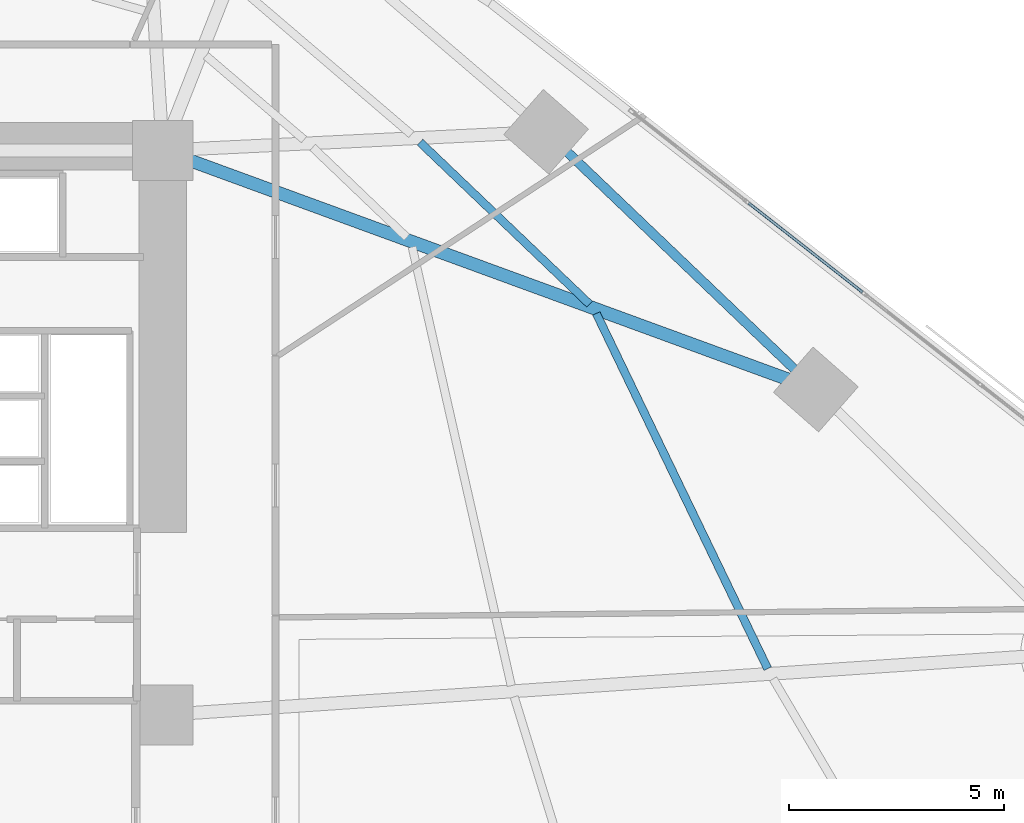
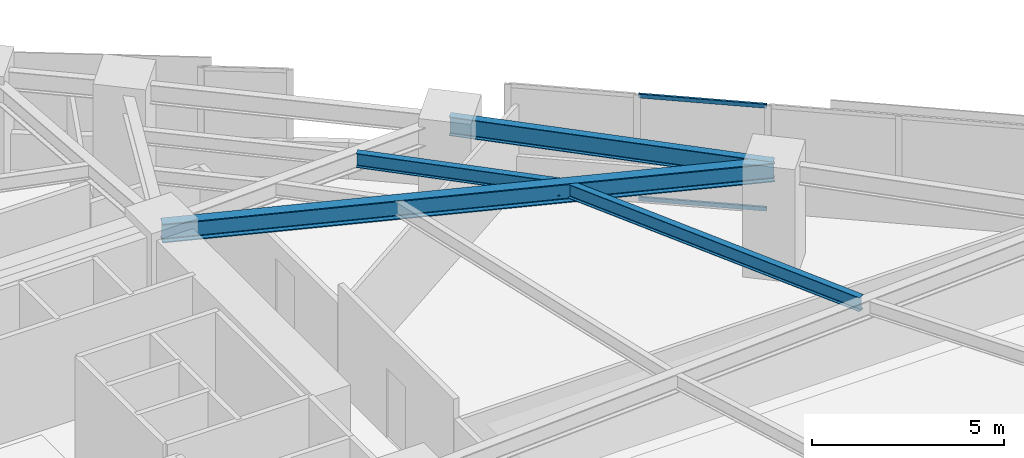
# One storey, part 6 of 17: 4 beams, 2 members, 1 element without a shape of its own.
"""IFC4 building model written with IfcOpenShell, lengths in metres."""

import ifcopenshell
import ifcopenshell.guid

model = None  # the IFC model being written
_history = None  # IfcOwnerHistory: only IFC2X3 demands one
_inside = {}  # id of a spatial element -> (the spatial element, [elements in it])
_under = {}  # id of a project, library or spatial element -> (it, [spatial elements below it])
_declared = {}  # id of a project -> (the project, [libraries it declares])
_typed = {}  # id of a type object -> (the type object, [elements of that type])
_made_of = {}  # id of a material, layer set ... -> (it, [elements and type objects made of it])


def new_model(schema):
    """Start an empty IFC model of exactly this schema.

    Asked for "IFC4X3", IfcOpenShell would pick the latest addendum, in which some entities
    have other attributes; the version numbers below select the first issue.
    IFC2X3 requires an IfcOwnerHistory on every rooted entity: one is made here for all.
    """
    global model, _history
    if schema == "IFC4X3":
        model = ifcopenshell.file(schema_version=(4, 3, 0, 0))
    else:
        model = ifcopenshell.file(schema=schema)
    _inside.clear()
    _under.clear()
    _declared.clear()
    _typed.clear()
    _made_of.clear()
    _history = None
    if model.schema == "IFC2X3":
        org = make("IfcOrganization", Name="unknown")
        user = make(
            "IfcPersonAndOrganization",
            ThePerson=make("IfcPerson", FamilyName="unknown"),
            TheOrganization=org,
        )
        app = make(
            "IfcApplication",
            ApplicationDeveloper=org,
            Version="unknown",
            ApplicationFullName="unknown",
            ApplicationIdentifier="unknown",
        )
        _history = make(
            "IfcOwnerHistory",
            OwningUser=user,
            OwningApplication=app,
            ChangeAction="ADDED",
            CreationDate=0,
        )
    return model


def make(cls, **values):
    """One entity of the class cls with the attributes given. An attribute that is None is left unset."""
    return model.create_entity(
        cls, **{name: value for name, value in values.items() if value is not None}
    )


def rooted(cls, **values):
    """An entity with a GlobalId (a new one), such as an element, a storey or a relation."""
    return make(cls, GlobalId=ifcopenshell.guid.new(), OwnerHistory=_history, **values)


def si_unit(unit_type, name, prefix=None):
    """IfcSIUnit, for example si_unit("LENGTHUNIT", "METRE", prefix="MILLI")."""
    return make("IfcSIUnit", UnitType=unit_type, Prefix=prefix, Name=name)


def assignment(units):
    """IfcUnitAssignment: the units of a project."""
    return None if units is None else make("IfcUnitAssignment", Units=units)


def point(xyz):
    """IfcCartesianPoint."""
    return None if xyz is None else make("IfcCartesianPoint", Coordinates=xyz)


def direction(xyz):
    """IfcDirection."""
    return None if xyz is None else make("IfcDirection", DirectionRatios=xyz)


def frame(location, z_axis=None, x_axis=None):
    """IfcAxis2Placement3D, a coordinate frame: its origin and axes. An axis left out is left unset."""
    return make(
        "IfcAxis2Placement3D",
        Location=point(location),
        Axis=direction(z_axis),
        RefDirection=direction(x_axis),
    )


def frame_2d(location, x_axis=None):
    """IfcAxis2Placement2D, a coordinate frame in the plane: its origin and x axis."""
    return make(
        "IfcAxis2Placement2D", Location=point(location), RefDirection=direction(x_axis)
    )


def origin():
    """The frame at (0, 0, 0) with its axes left unset."""
    return frame((0.0, 0.0, 0.0))


def origin_2d():
    """The frame at (0, 0) in the plane with its x axis left unset."""
    return frame_2d((0.0, 0.0))


def place(relative_to, where):
    """IfcLocalPlacement: puts the frame where relative to a parent placement (None: the world)."""
    return make(
        "IfcLocalPlacement", PlacementRelTo=relative_to, RelativePlacement=where
    )


def context(
    kind, dimensions, precision=None, world=None, true_north=None, identifier=None
):
    """IfcGeometricRepresentationContext, for example the 3D "Model" context."""
    return make(
        "IfcGeometricRepresentationContext",
        ContextIdentifier=identifier,
        ContextType=kind,
        CoordinateSpaceDimension=dimensions,
        Precision=precision,
        WorldCoordinateSystem=world,
        TrueNorth=true_north,
    )


def subcontext(parent, identifier, kind, view, scale=None):
    """IfcGeometricRepresentationSubContext, for example "Body" below "Model"."""
    return make(
        "IfcGeometricRepresentationSubContext",
        ContextIdentifier=identifier,
        ContextType=kind,
        ParentContext=parent,
        TargetScale=scale,
        TargetView=view,
    )


def project(units=None, contexts=None):
    """IfcProject with its units and contexts."""
    return rooted(
        "IfcProject",
        Name="project",
        RepresentationContexts=contexts,
        UnitsInContext=assignment(units),
    )


def spatial(cls, under=None, at=None, **own):
    """A site, building, storey or space (cls), placed at a placement, below another one or the project."""
    s = rooted(cls, ObjectPlacement=at, **own)
    if under is not None:
        _under.setdefault(under.id(), (under, []))[1].append(s)
    return s


def profile(cls, at=None, kind="AREA", **sizes):
    """A parametric profile (cls). Its sizes go by their IFC names, for example OverallWidth=200.0."""
    return make(cls, ProfileType=kind, Position=at, **sizes)


def hollow_rectangle(**sizes):
    """IfcRectangleHollowProfileDef."""
    return profile("IfcRectangleHollowProfileDef", **sizes)


def i_section(**sizes):
    """IfcIShapeProfileDef."""
    return profile("IfcIShapeProfileDef", **sizes)


def extrude(swept, where, along, depth):
    """IfcExtrudedAreaSolid: the profile swept, set in the frame where, extruded along a direction by depth."""
    return make(
        "IfcExtrudedAreaSolid",
        SweptArea=swept,
        Position=where,
        ExtrudedDirection=direction(along),
        Depth=depth,
    )


def shape(context_of_items, identifier, shape_type, items):
    """IfcShapeRepresentation: the items that make up one representation, for example the "Body"."""
    return make(
        "IfcShapeRepresentation",
        ContextOfItems=context_of_items,
        RepresentationIdentifier=identifier,
        RepresentationType=shape_type,
        Items=items,
    )


def material(Name=None, Category=None):
    """IfcMaterial."""
    return make("IfcMaterial", Name=Name, Category=Category)


def material_profile(
    of_material, cross_section, Name=None, Category=None, Priority=None
):
    """IfcMaterialProfile: a cross section and its material."""
    return make(
        "IfcMaterialProfile",
        Name=Name,
        Material=of_material,
        Profile=cross_section,
        Priority=Priority,
        Category=Category,
    )


def profile_set(profiles, Name=None, composite=None):
    """IfcMaterialProfileSet."""
    return make(
        "IfcMaterialProfileSet",
        Name=Name,
        MaterialProfiles=profiles,
        CompositeProfile=composite,
    )


def made_of(thing, what):
    """Note that an element or type object is made of a material, layer set ...; save() writes the relation."""
    if what is not None:
        _made_of.setdefault(what.id(), (what, []))[1].append(thing)
    return thing


def type_object(cls, material=None, **own):
    """A type object (cls), such as IfcWallType, which elements share."""
    return made_of(rooted(cls, **own), material)


def element(
    cls,
    number,
    at=None,
    inside=None,
    cuts=None,
    type_object=None,
    material=None,
    context=None,
    identifier="Body",
    shape_type=None,
    held_by="IfcProductDefinitionShape",
    body=None,
    shapes=None,
    **own,
):
    """One element of the class cls, such as IfcWall. Its Tag is "e" and its number.

    at: its placement. inside: the storey or other place that contains it. cuts: it is an
    opening in that element (IfcRelVoidsElement). A single representation is given by context,
    identifier, shape_type and body (its items); several are given by shapes. held_by: the class
    of the entity that holds the representations. save() writes the other relations.
    """
    e = rooted(cls, Tag="e%d" % number, ObjectPlacement=at, **own)
    if body is not None:
        shapes = [shape(context, identifier, shape_type, body)]
    if shapes is not None:
        e.Representation = make(held_by, Representations=shapes)
    if inside is not None:
        _inside.setdefault(inside.id(), (inside, []))[1].append(e)
    if cuts is not None:
        rooted(
            "IfcRelVoidsElement", RelatingBuildingElement=cuts, RelatedOpeningElement=e
        )
    if type_object is not None:
        _typed.setdefault(type_object.id(), (type_object, []))[1].append(e)
    return made_of(e, material)


def aggregate(whole, parts):
    """IfcRelAggregates: a whole, such as a stair, and the parts it consists of."""
    return rooted("IfcRelAggregates", RelatingObject=whole, RelatedObjects=parts)


def save(model, path):
    """Write the relations noted so far, then the file.

    IfcRelAggregates (storeys below a building ...), IfcRelContainedInSpatialStructure (elements
    in a storey), IfcRelDefinesByType, IfcRelAssociatesMaterial and IfcRelDeclares: one each for
    every whole, place, type object, material and project.
    """
    for whole, parts in _under.values():
        aggregate(whole, parts)
    for where, things in _inside.values():
        rooted(
            "IfcRelContainedInSpatialStructure",
            RelatedElements=things,
            RelatingStructure=where,
        )
    for kind, things in _typed.values():
        rooted("IfcRelDefinesByType", RelatedObjects=things, RelatingType=kind)
    for what, things in _made_of.values():
        rooted("IfcRelAssociatesMaterial", RelatedObjects=things, RelatingMaterial=what)
    for by, libraries in _declared.values():
        rooted("IfcRelDeclares", RelatingContext=by, RelatedDefinitions=libraries)
    model.write(path)


model = new_model("IFC4")

# Units and contexts
model_context = context("Model", 3, precision=1e-05, world=origin(), true_north=direction((0.0, 1.0)))
body_context = subcontext(model_context, "Body", "Model", "MODEL_VIEW")
ifc_project = project(units=[si_unit("LENGTHUNIT", "METRE"), si_unit("AREAUNIT", "SQUARE_METRE"), si_unit("VOLUMEUNIT", "CUBIC_METRE"), si_unit("PLANEANGLEUNIT", "RADIAN"), si_unit("MASSUNIT", "GRAM", prefix="KILO")], contexts=[model_context])

# Site, building, storey
site_placement = place(None, origin())
site = spatial("IfcSite", under=ifc_project, at=site_placement, CompositionType="ELEMENT")
building_placement = place(site_placement, origin())
building = spatial("IfcBuilding", under=site, at=building_placement, Name="Narakoshi Arena Tower", CompositionType="ELEMENT")
storey_placement = place(building_placement, frame((0.0, 0.0, 63.300048828125)))
storey = spatial("IfcBuildingStorey", under=building, at=storey_placement, Name="L16", CompositionType="ELEMENT", Elevation=63.300048828125)

# Beams
ifc_material_1 = material(Name="Structural steel S355J2", Category="steel")
ifc_material_profile_1 = material_profile(ifc_material_1, i_section(OverallWidth=0.219970703125, OverallDepth=0.60009765625, WebThickness=0.011962890625, FlangeThickness=0.01904296875, FilletRadius=0.02392578125, at=origin_2d()), Name="IPE600")
ifc_profile_set_1 = profile_set([ifc_material_profile_1], Name="Structural steel S355J2")
beam_type_1 = type_object("IfcBeamType", Name="BM-EDGE-600", PredefinedType="BEAM", material=ifc_profile_set_1)
beam_1_placement = place(storey_placement, frame((100.76318359375, 50.931640625, 3.0400390625), z_axis=(-0.723088904438, 0.690754975572, 0.0), x_axis=(-0.690754975572, -0.723088904438, 0.0)))
element("IfcBeam", 1, at=beam_1_placement, inside=storey, type_object=beam_type_1, Name="L16 Perimeter Edge Girder 07", PredefinedType="BEAM", context=body_context, shape_type="SweptSolid", body=[
    extrude(i_section(OverallWidth=0.219970703125, OverallDepth=0.60009765625, WebThickness=0.011962890625, FlangeThickness=0.01904296875, FilletRadius=0.02392578125, at=origin_2d()), origin(), (0.0, 0.0, 1.0), 8.690673828125),
])
ifc_material_profile_2 = material_profile(ifc_material_1, i_section(OverallWidth=0.300048828125, OverallDepth=0.60009765625, WebThickness=0.015380859375, FlangeThickness=0.030029296875, FilletRadius=0.027099609375, at=origin_2d()), Name="HE600B")
ifc_profile_set_2 = profile_set([ifc_material_profile_2], Name="Structural steel S355J2")
beam_type_2 = type_object("IfcBeamType", Name="BM-PRI-600", PredefinedType="BEAM", material=ifc_profile_set_2)
beam_2_placement = place(storey_placement, frame((85.550048828125, 56.5, 3.0400390625), z_axis=(0.939071487396, -0.343721895664, 0.0), x_axis=(0.343721895664, 0.939071487396, 0.0)))
element("IfcBeam", 2, at=beam_2_placement, inside=storey, type_object=beam_type_2, Name="L16 Radial Primary Floor Girder 07", PredefinedType="BEAM", context=body_context, shape_type="SweptSolid", body=[
    extrude(i_section(OverallWidth=0.300048828125, OverallDepth=0.60009765625, WebThickness=0.015380859375, FlangeThickness=0.030029296875, FilletRadius=0.027099609375, at=origin_2d()), origin(), (0.0, 0.0, 1.0), 16.2001953125),
])
ifc_material_profile_3 = material_profile(ifc_material_1, i_section(OverallWidth=0.18994140625, OverallDepth=0.449951171875, WebThickness=0.009521484375, FlangeThickness=0.0146484375, FilletRadius=0.02099609375, at=origin_2d()), Name="IPE450")
ifc_profile_set_3 = profile_set([ifc_material_profile_3], Name="Structural steel S355J2")
beam_type_3 = type_object("IfcBeamType", Name="BM-SEC-450", PredefinedType="JOIST", material=ifc_profile_set_3)
beam_3_placement = place(storey_placement, frame((99.6416015625, 44.428955078125, 3.114990234375), z_axis=(-0.434540970974, 0.900652066308, 0.0), x_axis=(-0.900652066308, -0.434540970974, 0.0)))
element("IfcBeam", 3, at=beam_3_placement, inside=storey, type_object=beam_type_3, Name="L16 Composite Secondary Floor Joist 04", PredefinedType="JOIST", context=body_context, shape_type="SweptSolid", body=[
    extrude(i_section(OverallWidth=0.18994140625, OverallDepth=0.449951171875, WebThickness=0.009521484375, FlangeThickness=0.0146484375, FilletRadius=0.02099609375, at=origin_2d()), origin(), (0.0, 0.0, 1.0), 9.187255859375),
])
beam_4_placement = place(storey_placement, frame((95.4931640625, 52.918212890625, 3.114990234375), z_axis=(-0.723113139165, 0.690729605538, 0.0), x_axis=(-0.690729605538, -0.723113139165, 0.0)))
element("IfcBeam", 4, at=beam_4_placement, inside=storey, type_object=beam_type_3, Name="L16 Composite Secondary Floor Joist 06", PredefinedType="JOIST", context=body_context, shape_type="SweptSolid", body=[
    extrude(i_section(OverallWidth=0.18994140625, OverallDepth=0.449951171875, WebThickness=0.009521484375, FlangeThickness=0.0146484375, FilletRadius=0.02099609375, at=origin_2d()), origin(), (0.0, 0.0, 1.0), 5.4658203125),
])

# Curtain wall, members
ifc_material_2 = material(Name="Anodised bronze aluminium 6063-T6", Category="aluminium")
curtain_wall_type = type_object("IfcCurtainWallType", Name="CW-HYP-LOW", PredefinedType="NOTDEFINED", material=ifc_material_2)
curtain_wall_placement = place(storey_placement, origin())
curtain_wall = element("IfcCurtainWall", 5, at=curtain_wall_placement, inside=storey, type_object=curtain_wall_type, Name="L16 Folded Hypotenuse Curtain Wall 1-1", PredefinedType="NOTDEFINED")
ifc_material_profile_4 = material_profile(ifc_material_2, hollow_rectangle(XDim=0.06494140625, YDim=0.1298828125, WallThickness=0.00390625, OuterFilletRadius=0.0048828125, at=origin_2d()), Name="TRN130x65x4")
ifc_profile_set_4 = profile_set([ifc_material_profile_4], Name="Anodised bronze aluminium 6063-T6")
member_type = type_object("IfcMemberType", Name="MEM-TRN-130", PredefinedType="USERDEFINED", material=ifc_profile_set_4)
member_1_placement = place(storey_placement, frame((101.851806640625, 53.196533203125, 0.032470703125), z_axis=(-0.787400998112, 0.616441131149, 0.0), x_axis=(-0.616441131149, -0.787400998112, 0.0)))
member_1 = element("IfcMember", 6, at=member_1_placement, type_object=member_type, Name="CW-01 transom 8.1", ObjectType="TRANSOM", PredefinedType="USERDEFINED", context=body_context, shape_type="SweptSolid", body=[
    extrude(hollow_rectangle(XDim=0.06494140625, YDim=0.1298828125, WallThickness=0.00390625, OuterFilletRadius=0.0048828125, at=origin_2d()), origin(), (0.0, 0.0, 1.0), 3.368896484375),
])
member_2_placement = place(storey_placement, frame((101.851806640625, 53.196533203125, 3.307373046875), z_axis=(-0.787400998112, 0.616441131149, 0.0), x_axis=(-0.616441131149, -0.787400998112, 0.0)))
member_2 = element("IfcMember", 7, at=member_2_placement, type_object=member_type, Name="CW-01 transom 8.2", ObjectType="TRANSOM", PredefinedType="USERDEFINED", context=body_context, shape_type="SweptSolid", body=[
    extrude(hollow_rectangle(XDim=0.06494140625, YDim=0.1298828125, WallThickness=0.00390625, OuterFilletRadius=0.0048828125, at=origin_2d()), origin(), (0.0, 0.0, 1.0), 3.368896484375),
])
aggregate(curtain_wall, [member_1, member_2])

save(model, "model.ifc")
